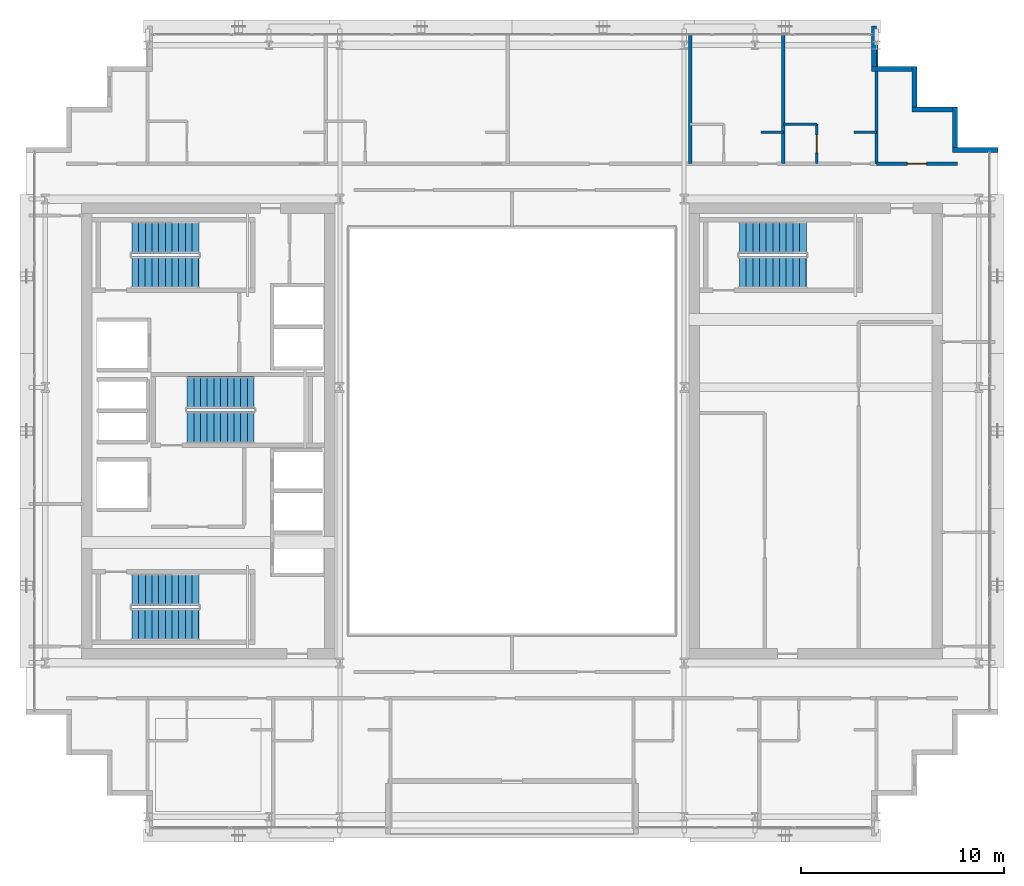
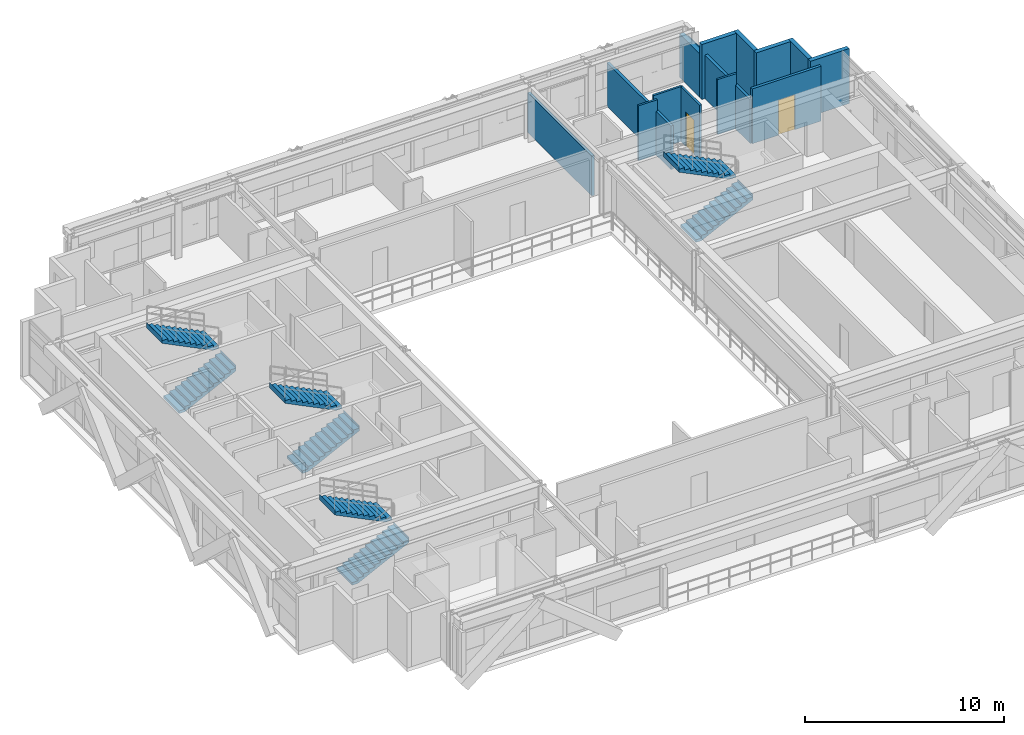
# One storey, part 27 of 31: 14 walls, 8 stair flights, 2 doors, 2 openings, 4 elements without a shape of their own.
"""IFC4 building model written with IfcOpenShell, lengths in metres."""

from ifc_helpers import new_model, si_unit, direction, frame, frame_2d, origin, place, context, subcontext, project, spatial, polyline, rectangle, outline, extrude, source, transform, mapped, material, layer, layer_set, type_object, element, fill, aggregate, save


model = new_model("IFC4")

# Units and contexts
model_context = context("Model", 3, precision=1e-05, world=origin(), true_north=direction((0.0, 1.0)))
body_context = subcontext(model_context, "Body", "Model", "MODEL_VIEW")
ifc_project = project(units=[si_unit("LENGTHUNIT", "METRE"), si_unit("AREAUNIT", "SQUARE_METRE"), si_unit("VOLUMEUNIT", "CUBIC_METRE"), si_unit("PLANEANGLEUNIT", "RADIAN"), si_unit("MASSUNIT", "GRAM", prefix="KILO")], contexts=[model_context])

# Site, building, storey
site_placement = place(None, origin())
site = spatial("IfcSite", under=ifc_project, at=site_placement, CompositionType="ELEMENT")
building_placement = place(site_placement, origin())
building = spatial("IfcBuilding", under=site, at=building_placement, Name="Ocotamira Hotel", CompositionType="ELEMENT")
storey_placement = place(building_placement, frame((0.0, 0.0, 181.199951171875)))
storey = spatial("IfcBuildingStorey", under=building, at=storey_placement, Name="L45", CompositionType="ELEMENT", Elevation=181.199951171875)

# Walls
ifc_material_1 = material(Name="Precast concrete C45/55", Category="concrete")
ifc_layer_1 = layer(ifc_material_1, 0.25)
ifc_layer_set_1 = layer_set([ifc_layer_1], Name="Precast concrete C45/55")
wall_type_1 = type_object("IfcWallType", Name="WL-EXT-SER-250", PredefinedType="SOLIDWALL", material=ifc_layer_set_1)
wall_1_placement = place(storey_placement, frame((56.0, 39.875, 0.0), z_axis=(0.0, 0.0, 1.0), x_axis=(-1.0, 0.0, 0.0)))
element("IfcWall", 1, at=wall_1_placement, inside=storey, type_object=wall_type_1, Name="L45 Serrated Corner Wall 07", PredefinedType="SOLIDWALL", context=body_context, shape_type="SweptSolid", body=[
    extrude(rectangle(XDim=2.25, YDim=0.25, at=frame_2d((1.125, 0.0))), origin(), (0.0, 0.0, 1.0), 3.3701171875),
])
for number, where, z_axis, x_axis, name in (
    (2, (53.875, 40.0, 0.0), (0.0, 0.0, 1.0), (0.0, 1.0, 0.0), "L45 Serrated Corner Wall 08"),
    (3, (53.75, 41.875, 0.0), (0.0, 0.0, 1.0), (-1.0, 0.0, 0.0), "L45 Serrated Corner Wall 09"),
    (4, (51.875, 42.0, 0.0), (0.0, 0.0, 1.0), (0.0, 1.0, 0.0), "L45 Serrated Corner Wall 10"),
    (5, (51.75, 43.875, 0.0), (0.0, 0.0, 1.0), (-1.0, 0.0, 0.0), "L45 Serrated Corner Wall 11"),
):
    element("IfcWall", number, at=place(storey_placement, frame(where, z_axis=z_axis, x_axis=x_axis)), inside=storey, type_object=wall_type_1, Name=name, PredefinedType="SOLIDWALL", context=body_context, shape_type="SweptSolid", body=[
        extrude(rectangle(XDim=2.0, YDim=0.25, at=frame_2d((1.0, 0.0))), origin(), (0.0, 0.0, 1.0), 3.3701171875),
    ])
wall_2_placement = place(storey_placement, frame((49.875, 44.0, 0.0), z_axis=(0.0, 0.0, 1.0), x_axis=(0.0, 1.0, 0.0)))
element("IfcWall", 6, at=wall_2_placement, inside=storey, type_object=wall_type_1, Name="L45 Serrated Corner Wall 12", PredefinedType="SOLIDWALL", context=body_context, shape_type="SweptSolid", body=[
    extrude(rectangle(XDim=2.0, YDim=0.25, at=frame_2d((1.0, 0.0))), origin(), (0.0, 0.0, 1.0), 2.677001953125),
])

# Wall, opening, door
ifc_material_2 = material(Name="Acoustic double-layer fire gypsum board partition", Category="gypsum")
ifc_layer_2 = layer(ifc_material_2, 0.159912109375)
ifc_layer_set_2 = layer_set([ifc_layer_2], Name="Acoustic double-layer fire gypsum board partition")
wall_type_2 = type_object("IfcWallType", Name="WL-FIRE-160", PredefinedType="PARTITIONING", material=ifc_layer_set_2)
wall_3_placement = place(storey_placement, frame((50.0, 39.199951171875, 0.0), z_axis=(0.0, 0.0, 1.0), x_axis=(1.0, 0.0, 0.0)))
wall_3 = element("IfcWall", 7, at=wall_3_placement, inside=storey, type_object=wall_type_2, Name="L45 Interior Wall PW-L45-Z3B-CNE-CW", PredefinedType="PARTITIONING", context=body_context, shape_type="SweptSolid", body=[
    extrude(rectangle(XDim=4.0, YDim=0.159912109375, at=frame_2d((2.0, 0.0))), origin(), (0.0, 0.0, 1.0), 3.3701171875),
])
opening_1_placement = place(wall_3_placement, frame((1.52001953125, 0.0, 0.0)))
opening_1 = element("IfcOpeningElement", 8, at=opening_1_placement, cuts=wall_3, Name="Opening D-SV4", PredefinedType="OPENING", context=body_context, shape_type="SweptSolid", body=[
    extrude(rectangle(XDim=0.9599609375, YDim=2.14990234375, at=frame_2d((0.47998046875, 1.074951171875))), frame((0.0, 0.08984375, 0.0), z_axis=(0.0, -1.0, 0.0), x_axis=(1.0, 0.0, 0.0)), (0.0, 0.0, 1.0), 0.179931640625),
])
ifc_material_3 = material(Name="Fire-rated accessible walnut salon door", Category="wood")
door_type_1 = type_object("IfcDoorType", Name="DR-SERV-960", OperationType="NOTDEFINED", PredefinedType="DOOR", material=ifc_material_3)
shared_shape_1 = source(origin(), body_context, "Body", "SweptSolid", [
    extrude(rectangle(XDim=0.9599609375, YDim=2.14990234375, at=frame_2d((0.47998046875, 1.074951171875))), frame((0.0, 0.02490234375, 0.0), z_axis=(0.0, -1.0, 0.0), x_axis=(1.0, 0.0, 0.0)), (0.0, 0.0, 1.0), 0.050048828125),
])
door_1_placement = place(opening_1_placement, origin())
door_1 = element("IfcDoor", 9, at=door_1_placement, inside=storey, type_object=door_type_1, Name="L45 Door ID-L45-Z3B-CNE-CD [ID-L45-Z3B-CNE-CD]", OperationType="SINGLE_SWING_LEFT", OverallHeight=2.14990234375, OverallWidth=0.9599609375, PredefinedType="DOOR", context=body_context, shape_type="MappedRepresentation", body=[
    mapped(shared_shape_1, transform((0.0, 0.0, 0.0), scale=1.0)),
])
fill(opening_1, door_1)

# Wall
ifc_material_4 = material(Name="Moisture-resistant en-suite tile and gypsum partition", Category="gypsum")
ifc_layer_3 = layer(ifc_material_4, 0.1201171875)
ifc_layer_set_3 = layer_set([ifc_layer_3], Name="Moisture-resistant en-suite tile and gypsum partition")
wall_type_3 = type_object("IfcWallType", Name="WL-PART-120", PredefinedType="PARTITIONING", material=ifc_layer_set_3)
wall_4_placement = place(storey_placement, frame((44.300048828125, 40.75, 0.0), z_axis=(0.0, 0.0, 1.0), x_axis=(1.0, 0.0, 0.0)))
element("IfcWall", 10, at=wall_4_placement, inside=storey, type_object=wall_type_3, Name="L45 Interior Wall PW-L45-Z3BN-DRN4", PredefinedType="PARTITIONING", context=body_context, shape_type="SweptSolid", body=[
    extrude(rectangle(XDim=1.099853515625, YDim=0.1201171875, at=frame_2d((0.5498046875, 0.0))), origin(), (0.0, 0.0, 1.0), 3.3701171875),
])

# Wall, opening, door
wall_5_placement = place(storey_placement, frame((47.050048828125, 39.199951171875, 0.0), z_axis=(0.0, 0.0, 1.0), x_axis=(0.0, 1.0, 0.0)))
wall_5 = element("IfcWall", 11, at=wall_5_placement, inside=storey, type_object=wall_type_3, Name="L45 Interior Wall PW-L45-Z3BN-BAE5", PredefinedType="PARTITIONING", context=body_context, shape_type="SweptSolid", body=[
    extrude(rectangle(XDim=1.949951171875, YDim=0.1201171875, at=frame_2d((0.97509765625, 0.0))), origin(), (0.0, 0.0, 1.0), 3.3701171875),
])
opening_2_placement = place(wall_5_placement, frame((0.544921875, 0.0, 0.0)))
opening_2 = element("IfcOpeningElement", 12, at=opening_2_placement, cuts=wall_5, Name="Opening D-BA1", PredefinedType="OPENING", context=body_context, shape_type="SweptSolid", body=[
    extrude(rectangle(XDim=0.860107421875, YDim=2.10009765625, at=frame_2d((0.43017578125, 1.050048828125))), frame((0.0, 0.070068359375, 0.0), z_axis=(0.0, -1.0, 0.0), x_axis=(1.0, 0.0, 0.0)), (0.0, 0.0, 1.0), 0.14013671875),
])
ifc_material_5 = material(Name="Moisture-sealed en-suite timber door", Category="wood")
door_type_2 = type_object("IfcDoorType", Name="DR-BATH-860", OperationType="NOTDEFINED", PredefinedType="DOOR", material=ifc_material_5)
shared_shape_2 = source(origin(), body_context, "Body", "SweptSolid", [
    extrude(rectangle(XDim=0.860107421875, YDim=2.10009765625, at=frame_2d((0.43017578125, 1.050048828125))), frame((0.0, 0.02490234375, 0.0), z_axis=(0.0, -1.0, 0.0), x_axis=(1.0, 0.0, 0.0)), (0.0, 0.0, 1.0), 0.050048828125),
])
door_2_placement = place(opening_2_placement, origin())
door_2 = element("IfcDoor", 13, at=door_2_placement, inside=storey, type_object=door_type_2, Name="L45 Door ID-L45-Z3BN-BAD5 [ID-L45-Z3BN-BAD5]", OperationType="SINGLE_SWING_RIGHT", OverallHeight=2.10009765625, OverallWidth=0.860107421875, PredefinedType="DOOR", context=body_context, shape_type="MappedRepresentation", body=[
    mapped(shared_shape_2, transform((0.0, 0.0, 0.0), scale=1.0)),
])
fill(opening_2, door_2)

# Walls
wall_6_placement = place(storey_placement, frame((45.39990234375, 41.14990234375, 0.0), z_axis=(0.0, 0.0, 1.0), x_axis=(1.0, 0.0, 0.0)))
element("IfcWall", 14, at=wall_6_placement, inside=storey, type_object=wall_type_3, Name="L45 Interior Wall PW-L45-Z3BN-BAN5", PredefinedType="PARTITIONING", context=body_context, shape_type="SweptSolid", body=[
    extrude(rectangle(XDim=1.650146484375, YDim=0.1201171875, at=frame_2d((0.8251953125, 0.0))), origin(), (0.0, 0.0, 1.0), 3.3701171875),
])
wall_7_placement = place(storey_placement, frame((48.89990234375, 40.75, 0.0), z_axis=(0.0, 0.0, 1.0), x_axis=(1.0, 0.0, 0.0)))
element("IfcWall", 15, at=wall_7_placement, inside=storey, type_object=wall_type_3, Name="L45 Interior Wall PW-L45-Z3BN-DRN5", PredefinedType="PARTITIONING", context=body_context, shape_type="SweptSolid", body=[
    extrude(rectangle(XDim=1.10009765625, YDim=0.1201171875, at=frame_2d((0.550048828125, 0.0))), origin(), (0.0, 0.0, 1.0), 3.3701171875),
])
ifc_material_6 = material(Name="Acoustic double-stud hospitality gypsum partition", Category="gypsum")
ifc_layer_4 = layer(ifc_material_6, 0.159912109375)
ifc_layer_set_4 = layer_set([ifc_layer_4], Name="Acoustic double-stud hospitality gypsum partition")
wall_type_4 = type_object("IfcWallType", Name="WL-PART-160", PredefinedType="PARTITIONING", material=ifc_layer_set_4)
wall_8_placement = place(storey_placement, frame((50.0, 39.199951171875, 0.0), z_axis=(0.0, 0.0, 1.0), x_axis=(0.0, 1.0, 0.0)))
element("IfcWall", 16, at=wall_8_placement, inside=storey, type_object=wall_type_4, Name="L45 Interior Wall PW-L45-Z3BN-PWEND", PredefinedType="PARTITIONING", context=body_context, shape_type="SweptSolid", body=[
    extrude(rectangle(XDim=6.43994140625, YDim=0.159912109375, at=frame_2d((3.219970703125, 0.0))), origin(), (0.0, 0.0, 1.0), 2.677001953125),
])
wall_9_placement = place(storey_placement, frame((40.800048828125, 39.199951171875, 0.0), z_axis=(0.0, 0.0, 1.0), x_axis=(0.0, 1.0, 0.0)))
element("IfcWall", 17, at=wall_9_placement, inside=storey, type_object=wall_type_4, Name="L45 Interior Wall PW-L45-Z3BN-PW3", PredefinedType="PARTITIONING", context=body_context, shape_type="SweptSolid", body=[
    extrude(rectangle(XDim=6.43994140625, YDim=0.159912109375, at=frame_2d((3.219970703125, 0.0))), origin(), (0.0, 0.0, 1.0), 2.443115234375),
])
wall_10_placement = place(storey_placement, frame((45.39990234375, 39.199951171875, 0.0), z_axis=(0.0, 0.0, 1.0), x_axis=(0.0, 1.0, 0.0)))
element("IfcWall", 18, at=wall_10_placement, inside=storey, type_object=wall_type_4, Name="L45 Interior Wall PW-L45-Z3BN-PW4", PredefinedType="PARTITIONING", context=body_context, shape_type="SweptSolid", body=[
    extrude(rectangle(XDim=6.43994140625, YDim=0.159912109375, at=frame_2d((3.219970703125, 0.0))), origin(), (0.0, 0.0, 1.0), 2.677001953125),
])

# Stair, stair flights
ifc_material_7 = material(Name="Concrete C40/50", Category="concrete")
stair_type = type_object("IfcStairType", Name="ST-CORE-1560", PredefinedType="HALF_TURN_STAIR", material=ifc_material_7)
stair_1_placement = place(storey_placement, origin())
stair_1 = element("IfcStair", 19, at=stair_1_placement, inside=storey, type_object=stair_type, Name="L45 Exit Stair ST-1", PredefinedType="HALF_TURN_STAIR")
stair_flight_type = type_object("IfcStairFlightType", Name="STF-CORE-1560", PredefinedType="STRAIGHT", material=ifc_material_7)
shared_shape_3 = source(origin(), body_context, "Body", "SweptSolid", [
    extrude(outline(polyline([(-0.00390625, 0.0), (-0.00390625, 0.16357421875), (0.330078125, 0.16357421875), (0.330078125, 0.327392578125), (0.659912109375, 0.327392578125), (0.659912109375, 0.490966796875), (0.989990234375, 0.490966796875), (0.989990234375, 0.654541015625), (1.320068359375, 0.654541015625), (1.320068359375, 0.818115234375), (1.64990234375, 0.818115234375), (1.64990234375, 0.98193359375), (1.97998046875, 0.98193359375), (1.97998046875, 1.1455078125), (2.31005859375, 1.1455078125), (2.31005859375, 1.30908203125), (2.639892578125, 1.30908203125), (2.639892578125, 1.47265625), (2.969970703125, 1.47265625), (2.969970703125, 1.636474609375), (3.300048828125, 1.636474609375), (3.300048828125, 1.800048828125), (3.303955078125, 1.800048828125), (3.303955078125, 1.468994140625), (0.33740234375, 0.0), (-0.00390625, 0.0)])), frame((0.0, 0.780029296875, 0.0), z_axis=(0.0, -1.0, 0.0), x_axis=(1.0, 0.0, 0.0)), (0.0, 0.0, 1.0), 1.56005859375),
])
stair_flight_1_placement = place(storey_placement, frame((13.22998046875, 16.449951171875, 0.0), z_axis=(0.0, 0.0, 1.0), x_axis=(1.0, 0.0, 0.0)))
stair_flight_1 = element("IfcStairFlight", 20, at=stair_flight_1_placement, type_object=stair_flight_type, Name="ST-1 flight 1", NumberOfRisers=11, NumberOfTreads=10, PredefinedType="STRAIGHT", RiserHeight=0.163636364, TreadLength=0.33, context=body_context, shape_type="MappedRepresentation", body=[
    mapped(shared_shape_3, transform((0.0, 0.0, 0.0), scale=1.0)),
])
stair_flight_2_placement = place(storey_placement, frame((16.530029296875, 18.169921875, 1.800048828125), z_axis=(0.0, 0.0, 1.0), x_axis=(-1.0, 0.0, 0.0)))
stair_flight_2 = element("IfcStairFlight", 21, at=stair_flight_2_placement, type_object=stair_flight_type, Name="ST-1 flight 2", NumberOfRisers=11, NumberOfTreads=10, PredefinedType="STRAIGHT", RiserHeight=0.163636364, TreadLength=0.33, context=body_context, shape_type="MappedRepresentation", body=[
    mapped(shared_shape_3, transform((0.0, 0.0, 0.0), scale=1.0)),
])
aggregate(stair_1, [stair_flight_1, stair_flight_2])

stair_2_placement = place(storey_placement, origin())
stair_2 = element("IfcStair", 22, at=stair_2_placement, inside=storey, type_object=stair_type, Name="L45 Exit Stair ST-2", PredefinedType="HALF_TURN_STAIR")
stair_flight_3_placement = place(storey_placement, frame((13.22998046875, 33.830078125, 0.0), z_axis=(0.0, 0.0, 1.0), x_axis=(1.0, 0.0, 0.0)))
stair_flight_3 = element("IfcStairFlight", 23, at=stair_flight_3_placement, type_object=stair_flight_type, Name="ST-2 flight 1", NumberOfRisers=11, NumberOfTreads=10, PredefinedType="STRAIGHT", RiserHeight=0.163636364, TreadLength=0.33, context=body_context, shape_type="MappedRepresentation", body=[
    mapped(shared_shape_3, transform((0.0, 0.0, 0.0), scale=1.0)),
])
stair_flight_4_placement = place(storey_placement, frame((16.530029296875, 35.550048828125, 1.800048828125), z_axis=(0.0, 0.0, 1.0), x_axis=(-1.0, 0.0, 0.0)))
stair_flight_4 = element("IfcStairFlight", 24, at=stair_flight_4_placement, type_object=stair_flight_type, Name="ST-2 flight 2", NumberOfRisers=11, NumberOfTreads=10, PredefinedType="STRAIGHT", RiserHeight=0.163636364, TreadLength=0.33, context=body_context, shape_type="MappedRepresentation", body=[
    mapped(shared_shape_3, transform((0.0, 0.0, 0.0), scale=1.0)),
])
aggregate(stair_2, [stair_flight_3, stair_flight_4])

stair_3_placement = place(storey_placement, origin())
stair_3 = element("IfcStair", 25, at=stair_3_placement, inside=storey, type_object=stair_type, Name="L45 Exit Stair ST-3", PredefinedType="HALF_TURN_STAIR")
stair_flight_5_placement = place(storey_placement, frame((15.9599609375, 26.179931640625, 0.0), z_axis=(0.0, 0.0, 1.0), x_axis=(1.0, 0.0, 0.0)))
stair_flight_5 = element("IfcStairFlight", 26, at=stair_flight_5_placement, type_object=stair_flight_type, Name="ST-3 flight 1", NumberOfRisers=11, NumberOfTreads=10, PredefinedType="STRAIGHT", RiserHeight=0.163636364, TreadLength=0.33, context=body_context, shape_type="MappedRepresentation", body=[
    mapped(shared_shape_3, transform((0.0, 0.0, 0.0), scale=1.0)),
])
stair_flight_6_placement = place(storey_placement, frame((19.260009765625, 27.89990234375, 1.800048828125), z_axis=(0.0, 0.0, 1.0), x_axis=(-1.0, 0.0, 0.0)))
stair_flight_6 = element("IfcStairFlight", 27, at=stair_flight_6_placement, type_object=stair_flight_type, Name="ST-3 flight 2", NumberOfRisers=11, NumberOfTreads=10, PredefinedType="STRAIGHT", RiserHeight=0.163636364, TreadLength=0.33, context=body_context, shape_type="MappedRepresentation", body=[
    mapped(shared_shape_3, transform((0.0, 0.0, 0.0), scale=1.0)),
])
aggregate(stair_3, [stair_flight_5, stair_flight_6])

stair_4_placement = place(storey_placement, origin())
stair_4 = element("IfcStair", 28, at=stair_4_placement, inside=storey, type_object=stair_type, Name="L45 Exit Stair ST-4", PredefinedType="HALF_TURN_STAIR")
stair_flight_7_placement = place(storey_placement, frame((43.22998046875, 33.830078125, 0.0), z_axis=(0.0, 0.0, 1.0), x_axis=(1.0, 0.0, 0.0)))
stair_flight_7 = element("IfcStairFlight", 29, at=stair_flight_7_placement, type_object=stair_flight_type, Name="ST-4 flight 1", NumberOfRisers=11, NumberOfTreads=10, PredefinedType="STRAIGHT", RiserHeight=0.163636364, TreadLength=0.33, context=body_context, shape_type="MappedRepresentation", body=[
    mapped(shared_shape_3, transform((0.0, 0.0, 0.0), scale=1.0)),
])
stair_flight_8_placement = place(storey_placement, frame((46.530029296875, 35.550048828125, 1.800048828125), z_axis=(0.0, 0.0, 1.0), x_axis=(-1.0, 0.0, 0.0)))
stair_flight_8 = element("IfcStairFlight", 30, at=stair_flight_8_placement, type_object=stair_flight_type, Name="ST-4 flight 2", NumberOfRisers=11, NumberOfTreads=10, PredefinedType="STRAIGHT", RiserHeight=0.163636364, TreadLength=0.33, context=body_context, shape_type="MappedRepresentation", body=[
    mapped(shared_shape_3, transform((0.0, 0.0, 0.0), scale=1.0)),
])
aggregate(stair_4, [stair_flight_7, stair_flight_8])

save(model, "model.ifc")
